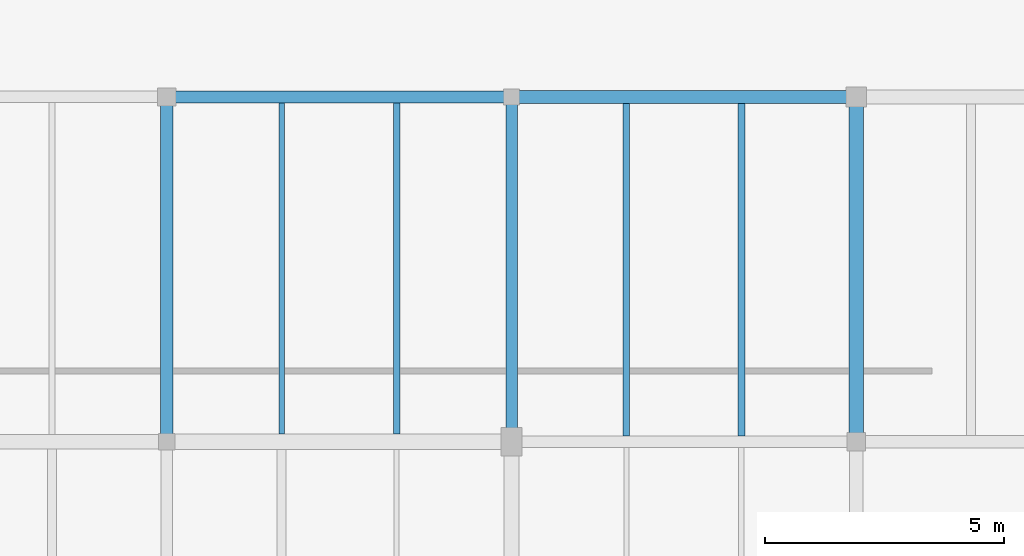
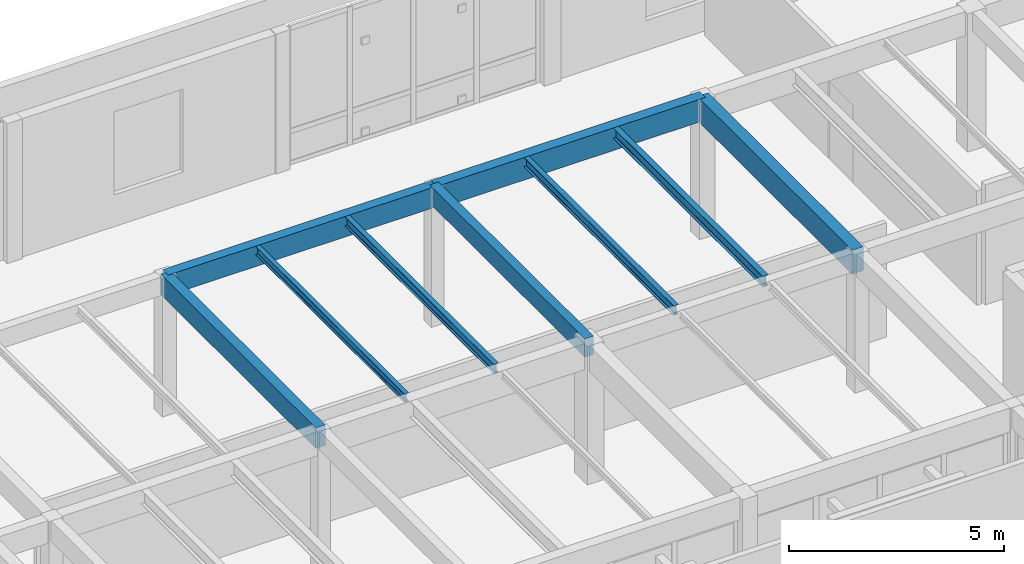
# One storey, part 157 of 217: 9 beams.
"""IFC4 building model written with IfcOpenShell, lengths in metres."""

from ifc_helpers import new_model, si_unit, direction, frame, origin, origin_2d, place, context, subcontext, project, spatial, rectangle, i_section, extrude, material, material_profile, profile_set, type_object, element, save


model = new_model("IFC4")

# Units and contexts
model_context = context("Model", 3, precision=1e-05, world=origin(), true_north=direction((0.0, 1.0)))
body_context = subcontext(model_context, "Body", "Model", "MODEL_VIEW")
ifc_project = project(units=[si_unit("LENGTHUNIT", "METRE"), si_unit("AREAUNIT", "SQUARE_METRE"), si_unit("VOLUMEUNIT", "CUBIC_METRE"), si_unit("PLANEANGLEUNIT", "RADIAN"), si_unit("MASSUNIT", "GRAM", prefix="KILO")], contexts=[model_context])

# Site, building, storey
site_placement = place(None, origin())
site = spatial("IfcSite", under=ifc_project, at=site_placement, CompositionType="ELEMENT")
building_placement = place(site_placement, origin())
building = spatial("IfcBuilding", under=site, at=building_placement, Name="Mazaris Harbour Polytechnic", CompositionType="ELEMENT")
storey_placement = place(building_placement, frame((0.0, 0.0, 9.60009765625)))
storey = spatial("IfcBuildingStorey", under=building, at=storey_placement, Name="L02", CompositionType="ELEMENT", Elevation=9.60009765625)

# Beams
ifc_material_1 = material(Name="Glulam GL32h", Category="wood")
ifc_material_profile_1 = material_profile(ifc_material_1, rectangle(XDim=0.239990234375, YDim=0.52001953125, at=origin_2d()), Name="RECT240x520")
ifc_profile_set_1 = profile_set([ifc_material_profile_1], Name="Glulam GL32h")
beam_type_1 = type_object("IfcBeamType", Name="Glulam Girder 240x520", PredefinedType="BEAM", material=ifc_profile_set_1)
beam_1_placement = place(storey_placement, frame((151.199951171875, 93.60009765625, 3.659912109375), z_axis=(0.0, 1.0, 0.0), x_axis=(-1.0, 0.0, 0.0)))
element("IfcBeam", 1, at=beam_1_placement, inside=storey, type_object=beam_type_1, Name="V5 L02 Tie Girder 3200", PredefinedType="BEAM", context=body_context, shape_type="SweptSolid", body=[
    extrude(rectangle(XDim=0.239990234375, YDim=0.52001953125, at=origin_2d()), origin(), (0.0, 0.0, 1.0), 7.199951171875),
])
ifc_material_2 = material(Name="Glulam GL32h", Category="wood")
ifc_material_profile_2 = material_profile(ifc_material_2, rectangle(XDim=0.260009765625, YDim=0.580078125, at=origin_2d()), Name="RECT260x580")
ifc_profile_set_2 = profile_set([ifc_material_profile_2], Name="Glulam GL32h")
beam_type_2 = type_object("IfcBeamType", Name="Glulam Girder 260x580", PredefinedType="BEAM", material=ifc_profile_set_2)
beam_2_placement = place(storey_placement, frame((144.0, 93.60009765625, 3.6298828125), z_axis=(0.0, 1.0, 0.0), x_axis=(-1.0, 0.0, 0.0)))
element("IfcBeam", 2, at=beam_2_placement, inside=storey, type_object=beam_type_2, Name="V5 L02 Tie Girder 3196", PredefinedType="BEAM", context=body_context, shape_type="SweptSolid", body=[
    extrude(rectangle(XDim=0.260009765625, YDim=0.580078125, at=origin_2d()), origin(), (0.0, 0.0, 1.0), 7.199951171875),
])
ifc_material_3 = material(Name="Glulam GL32h", Category="wood")
ifc_material_profile_3 = material_profile(ifc_material_3, rectangle(XDim=0.260009765625, YDim=0.580078125, at=origin_2d()), Name="RECT260x580")
ifc_profile_set_3 = profile_set([ifc_material_profile_3], Name="Glulam GL32h")
beam_type_3 = type_object("IfcBeamType", Name="Glulam Girder 260x580 Exterior", PredefinedType="BEAM", material=ifc_profile_set_3)
beam_3_placement = place(storey_placement, frame((144.0, 100.800048828125, 3.6298828125), z_axis=(1.0, 0.0, 0.0), x_axis=(0.0, 1.0, 0.0)))
element("IfcBeam", 3, at=beam_3_placement, inside=storey, type_object=beam_type_3, Name="V5 L02 Girder 3166", PredefinedType="BEAM", context=body_context, shape_type="SweptSolid", body=[
    extrude(rectangle(XDim=0.260009765625, YDim=0.580078125, at=origin_2d()), origin(), (0.0, 0.0, 1.0), 7.199951171875),
])
ifc_material_4 = material(Name="Glulam GL32h", Category="wood")
ifc_material_profile_4 = material_profile(ifc_material_4, rectangle(XDim=0.280029296875, YDim=0.639892578125, at=origin_2d()), Name="RECT280x640")
ifc_profile_set_4 = profile_set([ifc_material_profile_4], Name="Glulam GL32h")
beam_type_4 = type_object("IfcBeamType", Name="Glulam Girder 280x640 Exterior", PredefinedType="BEAM", material=ifc_profile_set_4)
beam_4_placement = place(storey_placement, frame((151.199951171875, 100.800048828125, 3.599853515625), z_axis=(1.0, 0.0, 0.0), x_axis=(0.0, 1.0, 0.0)))
element("IfcBeam", 4, at=beam_4_placement, inside=storey, type_object=beam_type_4, Name="V5 L02 Girder 3167", PredefinedType="BEAM", context=body_context, shape_type="SweptSolid", body=[
    extrude(rectangle(XDim=0.280029296875, YDim=0.639892578125, at=origin_2d()), origin(), (0.0, 0.0, 1.0), 7.199951171875),
])
ifc_material_5 = material(Name="Glulam GL32h", Category="wood")
ifc_material_profile_5 = material_profile(ifc_material_5, rectangle(XDim=0.300048828125, YDim=0.679931640625, at=origin_2d()), Name="RECT300x680")
ifc_profile_set_5 = profile_set([ifc_material_profile_5], Name="Glulam GL32h")
beam_type_5 = type_object("IfcBeamType", Name="Glulam Girder 300x680", PredefinedType="BEAM", material=ifc_profile_set_5)
beam_5_placement = place(storey_placement, frame((158.39990234375, 93.60009765625, 3.579833984375), z_axis=(0.0, 1.0, 0.0), x_axis=(-1.0, 0.0, 0.0)))
element("IfcBeam", 5, at=beam_5_placement, inside=storey, type_object=beam_type_5, Name="V5 L02 Tie Girder 3208", PredefinedType="BEAM", context=body_context, shape_type="SweptSolid", body=[
    extrude(rectangle(XDim=0.300048828125, YDim=0.679931640625, at=origin_2d()), origin(), (0.0, 0.0, 1.0), 7.199951171875),
])
ifc_material_6 = material(Name="Steel S355", Category="steel")
ifc_material_profile_6 = material_profile(ifc_material_6, i_section(OverallWidth=0.1201171875, OverallDepth=0.239990234375, WebThickness=0.006103515625, FlangeThickness=0.009765625, FilletRadius=0.014892578125, at=origin_2d()), Name="IPE 240")
ifc_profile_set_6 = profile_set([ifc_material_profile_6], Name="Steel S355")
beam_type_6 = type_object("IfcBeamType", Name="Steel Joist IPE240", PredefinedType="JOIST", material=ifc_profile_set_6)
beam_6_placement = place(storey_placement, frame((146.39990234375, 93.760009765625, 3.7998046875), z_axis=(0.0, 1.0, 0.0), x_axis=(-1.0, 0.0, 0.0)))
element("IfcBeam", 6, at=beam_6_placement, inside=storey, type_object=beam_type_6, Name="V5 L02 Floor Joist 3263", PredefinedType="JOIST", context=body_context, shape_type="SweptSolid", body=[
    extrude(i_section(OverallWidth=0.1201171875, OverallDepth=0.239990234375, WebThickness=0.006103515625, FlangeThickness=0.009765625, FilletRadius=0.014892578125, at=origin_2d()), origin(), (0.0, 0.0, 1.0), 6.909912109375),
])
ifc_material_7 = material(Name="Steel S355", Category="steel")
ifc_material_profile_7 = material_profile(ifc_material_7, i_section(OverallWidth=0.135009765625, OverallDepth=0.27001953125, WebThickness=0.006591796875, FlangeThickness=0.01025390625, FilletRadius=0.014892578125, at=origin_2d()), Name="IPE 270")
ifc_profile_set_7 = profile_set([ifc_material_profile_7], Name="Steel S355")
beam_type_7 = type_object("IfcBeamType", Name="Steel Joist IPE270", PredefinedType="JOIST", material=ifc_profile_set_7)
beam_7_placement = place(storey_placement, frame((148.800048828125, 93.760009765625, 3.784912109375), z_axis=(0.0, 1.0, 0.0), x_axis=(-1.0, 0.0, 0.0)))
element("IfcBeam", 7, at=beam_7_placement, inside=storey, type_object=beam_type_7, Name="V5 L02 Floor Joist 3264", PredefinedType="JOIST", context=body_context, shape_type="SweptSolid", body=[
    extrude(i_section(OverallWidth=0.135009765625, OverallDepth=0.27001953125, WebThickness=0.006591796875, FlangeThickness=0.01025390625, FilletRadius=0.014892578125, at=origin_2d()), origin(), (0.0, 0.0, 1.0), 6.909912109375),
])
beam_8_placement = place(storey_placement, frame((153.60009765625, 93.719970703125, 3.784912109375), z_axis=(0.0, 1.0, 0.0), x_axis=(-1.0, 0.0, 0.0)))
element("IfcBeam", 8, at=beam_8_placement, inside=storey, type_object=beam_type_7, Name="V5 L02 Floor Joist 3271", PredefinedType="JOIST", context=body_context, shape_type="SweptSolid", body=[
    extrude(i_section(OverallWidth=0.135009765625, OverallDepth=0.27001953125, WebThickness=0.006591796875, FlangeThickness=0.01025390625, FilletRadius=0.014892578125, at=origin_2d()), origin(), (0.0, 0.0, 1.0), 6.93994140625),
])
ifc_material_8 = material(Name="Steel S355", Category="steel")
ifc_material_profile_8 = material_profile(ifc_material_8, i_section(OverallWidth=0.14990234375, OverallDepth=0.300048828125, WebThickness=0.007080078125, FlangeThickness=0.0107421875, FilletRadius=0.014892578125, at=origin_2d()), Name="IPE 300")
ifc_profile_set_8 = profile_set([ifc_material_profile_8], Name="Steel S355")
beam_type_8 = type_object("IfcBeamType", Name="Steel Joist IPE300", PredefinedType="JOIST", material=ifc_profile_set_8)
beam_9_placement = place(storey_placement, frame((156.0, 93.719970703125, 3.77001953125), z_axis=(0.0, 1.0, 0.0), x_axis=(-1.0, 0.0, 0.0)))
element("IfcBeam", 9, at=beam_9_placement, inside=storey, type_object=beam_type_8, Name="V5 L02 Floor Joist 3272", PredefinedType="JOIST", context=body_context, shape_type="SweptSolid", body=[
    extrude(i_section(OverallWidth=0.14990234375, OverallDepth=0.300048828125, WebThickness=0.007080078125, FlangeThickness=0.0107421875, FilletRadius=0.014892578125, at=origin_2d()), origin(), (0.0, 0.0, 1.0), 6.93994140625),
])

save(model, "model.ifc")
